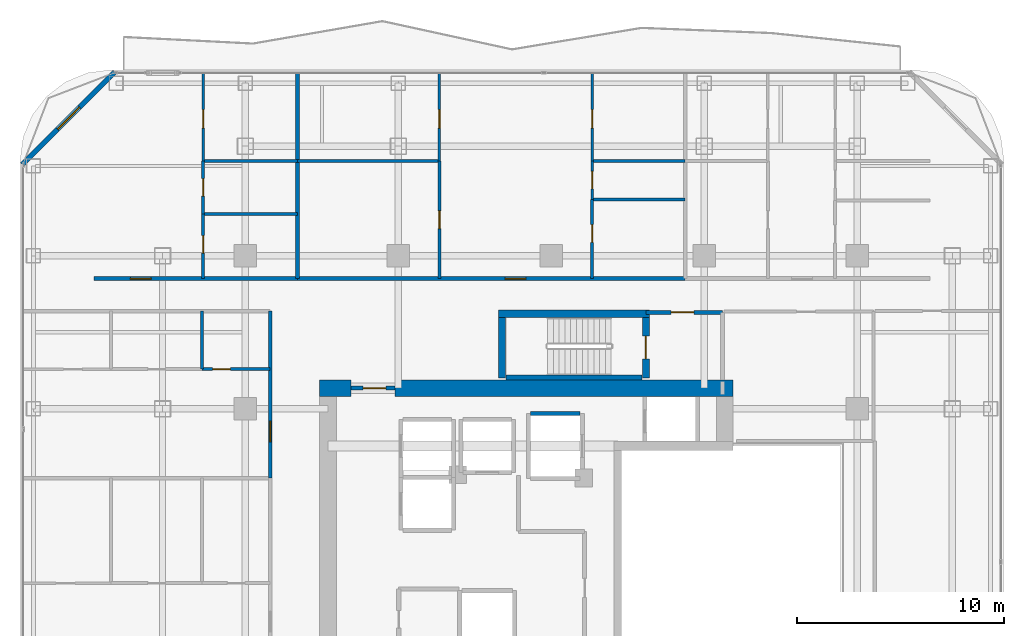
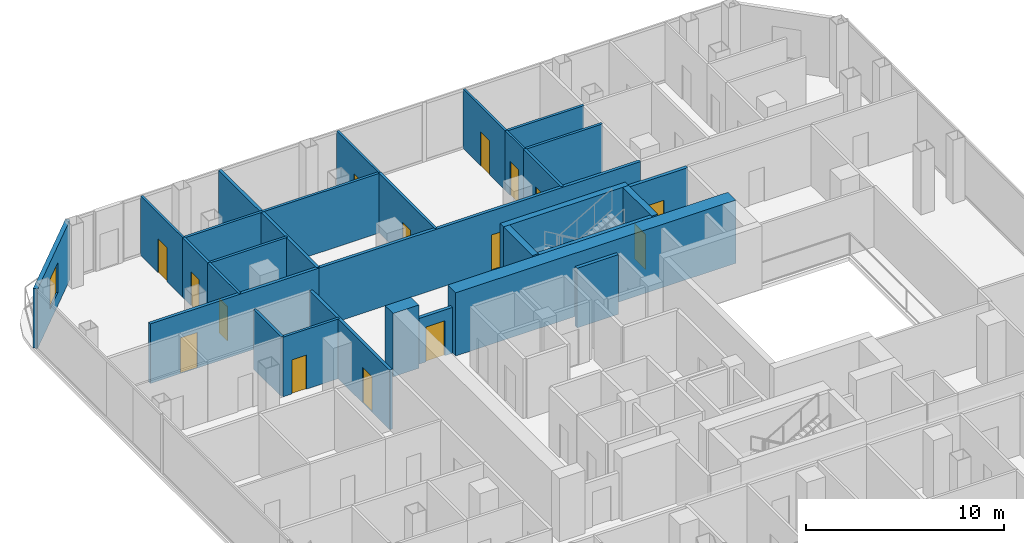
# One storey, part 22 of 26: 29 walls, 15 doors, 1 window, 16 openings.
"""IFC4 building model written with IfcOpenShell, lengths in metres."""

from ifc_helpers import new_model, si_unit, direction, frame, frame_2d, origin, place, context, subcontext, project, spatial, rectangle, extrude, material, layer, layer_set, type_object, element, fill, save


model = new_model("IFC4")

# Units and contexts
model_context = context("Model", 3, precision=1e-05, world=origin(), true_north=direction((0.0, 1.0)))
body_context = subcontext(model_context, "Body", "Model", "MODEL_VIEW")
ifc_project = project(units=[si_unit("LENGTHUNIT", "METRE"), si_unit("AREAUNIT", "SQUARE_METRE"), si_unit("VOLUMEUNIT", "CUBIC_METRE"), si_unit("PLANEANGLEUNIT", "RADIAN"), si_unit("MASSUNIT", "GRAM", prefix="KILO")], contexts=[model_context])

# Site, building, storey
site_placement = place(None, origin())
site = spatial("IfcSite", under=ifc_project, at=site_placement, CompositionType="ELEMENT")
building_placement = place(site_placement, origin())
building = spatial("IfcBuilding", under=site, at=building_placement, Name="Khorvyn Point Tower", CompositionType="ELEMENT")
storey_placement = place(building_placement, frame((0.0, 0.0, 183.60009765625)))
storey = spatial("IfcBuildingStorey", under=building, at=storey_placement, Name="L45", CompositionType="ELEMENT", Elevation=183.60009765625)

# Wall, opening, door
ifc_material_1 = material(Name="Double acoustic gypsum on twin steel stud", Category="steel")
ifc_layer_1 = layer(ifc_material_1, 0.179931640625)
ifc_layer_set_1 = layer_set([ifc_layer_1], Name="Acoustic Double-Stud Apartment Demising Wall 180")
wall_type_1 = type_object("IfcWallType", Name="Acoustic Double-Stud Apartment Demising Wall 180", PredefinedType="PARTITIONING", material=ifc_layer_set_1)
wall_1_placement = place(storey_placement, frame((-22.1201171875, 13.699951171875, 0.0), z_axis=(0.0, 0.0, 1.0), x_axis=(1.0, 0.0, 0.0)))
wall_1 = element("IfcWall", 1, at=wall_1_placement, inside=storey, type_object=wall_type_1, Name="Wall", PredefinedType="PARTITIONING", context=body_context, shape_type="SweptSolid", body=[
    extrude(rectangle(XDim=9.840087890625, YDim=0.179931640625, at=frame_2d((4.919921875, 0.0))), origin(), (0.0, 0.0, 1.0), 3.679931640625),
])
opening_1_placement = place(wall_1_placement, frame((1.757568359375, 0.0, 0.0)))
opening_1 = element("IfcOpeningElement", 2, at=opening_1_placement, cuts=wall_1, Name="Opening ID-AP60", PredefinedType="OPENING", context=body_context, shape_type="SweptSolid", body=[
    extrude(rectangle(XDim=1.0, YDim=2.199951171875, at=frame_2d((0.5, 1.10009765625))), frame((0.0, 0.099853515625, 0.0), z_axis=(0.0, -1.0, 0.0), x_axis=(1.0, 0.0, 0.0)), (0.0, 0.0, 1.0), 0.199951171875),
])
ifc_material_2 = material(Name="Engineered hardwood fire-rated leaf", Category="wood")
door_type_1 = type_object("IfcDoorType", Name="Acoustic Solid-Core Timber Apartment Entrance Door 1000x2200", OperationType="NOTDEFINED", PredefinedType="DOOR", material=ifc_material_2)
door_1_placement = place(opening_1_placement, origin())
door_1 = element("IfcDoor", 3, at=door_1_placement, inside=storey, type_object=door_type_1, Name="Door", OperationType="SINGLE_SWING_LEFT", OverallHeight=2.199951171875, OverallWidth=1.0, PredefinedType="DOOR", context=body_context, shape_type="SweptSolid", body=[
    extrude(rectangle(XDim=1.0, YDim=2.199951171875, at=frame_2d((0.5, 1.10009765625))), frame((0.0, 0.02490234375, 0.0), z_axis=(0.0, -1.0, 0.0), x_axis=(1.0, 0.0, 0.0)), (0.0, 0.0, 1.0), 0.050048828125),
])
fill(opening_1, door_1)

wall_2_placement = place(storey_placement, frame((-12.280029296875, 13.699951171875, 0.0), z_axis=(0.0, 0.0, 1.0), x_axis=(1.0, 0.0, 0.0)))
wall_2 = element("IfcWall", 4, at=wall_2_placement, inside=storey, type_object=wall_type_1, Name="Wall", PredefinedType="PARTITIONING", context=body_context, shape_type="SweptSolid", body=[
    extrude(rectangle(XDim=18.758056640625, YDim=0.179931640625, at=frame_2d((9.37890625, 0.0))), origin(), (0.0, 0.0, 1.0), 3.679931640625),
])
opening_2_placement = place(wall_2_placement, frame((10.047607421875, 0.0, 0.0)))
opening_2 = element("IfcOpeningElement", 5, at=opening_2_placement, cuts=wall_2, Name="Opening ID-AP60", PredefinedType="OPENING", context=body_context, shape_type="SweptSolid", body=[
    extrude(rectangle(XDim=1.0, YDim=2.199951171875, at=frame_2d((0.5, 1.10009765625))), frame((0.0, 0.099853515625, 0.0), z_axis=(0.0, -1.0, 0.0), x_axis=(1.0, 0.0, 0.0)), (0.0, 0.0, 1.0), 0.199951171875),
])
door_2_placement = place(opening_2_placement, origin())
door_2 = element("IfcDoor", 6, at=door_2_placement, inside=storey, type_object=door_type_1, Name="Door", OperationType="SINGLE_SWING_LEFT", OverallHeight=2.199951171875, OverallWidth=1.0, PredefinedType="DOOR", context=body_context, shape_type="SweptSolid", body=[
    extrude(rectangle(XDim=1.0, YDim=2.199951171875, at=frame_2d((0.5, 1.10009765625))), frame((0.0, 0.02490234375, 0.0), z_axis=(0.0, -1.0, 0.0), x_axis=(1.0, 0.0, 0.0)), (0.0, 0.0, 1.0), 0.050048828125),
])
fill(opening_2, door_2)

wall_3_placement = place(storey_placement, frame((-13.60009765625, 4.0400390625, 0.0), z_axis=(0.0, 0.0, 1.0), x_axis=(0.0, 1.0, 0.0)))
wall_3 = element("IfcWall", 7, at=wall_3_placement, inside=storey, type_object=wall_type_1, Name="Wall", PredefinedType="PARTITIONING", context=body_context, shape_type="SweptSolid", body=[
    extrude(rectangle(XDim=8.080078125, YDim=0.179931640625, at=frame_2d((4.0400390625, 0.0))), origin(), (0.0, 0.0, 1.0), 3.679931640625),
])
opening_3_placement = place(wall_3_placement, frame((1.760986328125, 0.0, 0.0)))
opening_3 = element("IfcOpeningElement", 8, at=opening_3_placement, cuts=wall_3, Name="Opening ID-AP60", PredefinedType="OPENING", context=body_context, shape_type="SweptSolid", body=[
    extrude(rectangle(XDim=1.0, YDim=2.199951171875, at=frame_2d((0.5, 1.10009765625))), frame((0.0, 0.099853515625, 0.0), z_axis=(0.0, -1.0, 0.0), x_axis=(1.0, 0.0, 0.0)), (0.0, 0.0, 1.0), 0.199951171875),
])
door_3_placement = place(opening_3_placement, origin())
door_3 = element("IfcDoor", 9, at=door_3_placement, inside=storey, type_object=door_type_1, Name="Door", OperationType="SINGLE_SWING_RIGHT", OverallHeight=2.199951171875, OverallWidth=1.0, PredefinedType="DOOR", context=body_context, shape_type="SweptSolid", body=[
    extrude(rectangle(XDim=1.0, YDim=2.199951171875, at=frame_2d((0.5, 1.10009765625))), frame((0.0, 0.02490234375, 0.0), z_axis=(0.0, -1.0, 0.0), x_axis=(1.0, 0.0, 0.0)), (0.0, 0.0, 1.0), 0.050048828125),
])
fill(opening_3, door_3)

# Wall
wall_4_placement = place(storey_placement, frame((-12.280029296875, 13.699951171875, 0.0), z_axis=(0.0, 0.0, 1.0), x_axis=(0.0, 1.0, 0.0)))
element("IfcWall", 10, at=wall_4_placement, inside=storey, type_object=wall_type_1, Name="Wall", PredefinedType="PARTITIONING", context=body_context, shape_type="SweptSolid", body=[
    extrude(rectangle(XDim=9.929931640625, YDim=0.179931640625, at=frame_2d((4.96484375, 0.0))), origin(), (0.0, 0.0, 1.0), 3.679931640625),
])

# Wall, opening, window
ifc_material_3 = material(Name="Pale anodised aluminium rainscreen on steel stud", Category="steel")
ifc_layer_2 = layer(ifc_material_3, 0.239990234375)
ifc_layer_set_2 = layer_set([ifc_layer_2], Name="Anodised Aluminium Insulated Corner Spandrel Wall 240")
wall_type_2 = type_object("IfcWallType", Name="Anodised Aluminium Insulated Corner Spandrel Wall 240", PredefinedType="SOLIDWALL", material=ifc_layer_set_2)
wall_5_placement = place(storey_placement, frame((-25.59228515625, 19.20751953125, 0.0), z_axis=(0.0, 0.0, 1.0), x_axis=(0.707087534163, 0.707126027686, 0.0)))
wall_5 = element("IfcWall", 11, at=wall_5_placement, inside=storey, type_object=wall_type_2, Name="L45 Rounded Corner Wall NW", PredefinedType="SOLIDWALL", context=body_context, shape_type="SweptSolid", body=[
    extrude(rectangle(XDim=6.34228515625, YDim=0.239990234375, at=frame_2d((3.171142578125, 0.0))), origin(), (0.0, 0.0, 1.0), 3.679931640625),
])
opening_4_placement = place(wall_5_placement, frame((2.42138671875, 0.0, 0.800048828125)))
opening_4 = element("IfcOpeningElement", 12, at=opening_4_placement, cuts=wall_5, Name="Opening WN-1518", PredefinedType="OPENING", context=body_context, shape_type="SweptSolid", body=[
    extrude(rectangle(XDim=1.5, YDim=1.85009765625, at=frame_2d((0.75, 0.925048828125))), frame((0.0, 0.1298828125, 0.0), z_axis=(0.0, -1.0, 0.0), x_axis=(1.0, 0.0, 0.0)), (0.0, 0.0, 1.0), 0.260009765625),
])
ifc_material_4 = material(Name="Anodised aluminium 6063-T6 and laminated Low-E glass", Category="aluminium")
window_type = type_object("IfcWindowType", Name="Anodised Aluminium Rounded-Corner Panoramic Window 1500x1850", PartitioningType="SINGLE_PANEL", PredefinedType="WINDOW", material=ifc_material_4)
window_placement = place(opening_4_placement, origin())
window = element("IfcWindow", 13, at=window_placement, inside=storey, type_object=window_type, Name="L45 Corner Panoramic Window NW", OverallHeight=1.85009765625, OverallWidth=1.5, PartitioningType="SINGLE_PANEL", PredefinedType="WINDOW", context=body_context, shape_type="SweptSolid", body=[
    extrude(rectangle(XDim=1.5, YDim=1.85009765625, at=frame_2d((0.75, 0.925048828125))), frame((0.0, 0.030029296875, 0.0), z_axis=(0.0, -1.0, 0.0), x_axis=(1.0, 0.0, 0.0)), (0.0, 0.0, 1.0), 0.06005859375),
])
fill(opening_4, window)

# Wall, opening, door
ifc_material_5 = material(Name="Concrete C40/50", Category="concrete")
ifc_layer_3 = layer(ifc_material_5, 0.199951171875)
ifc_layer_set_3 = layer_set([ifc_layer_3], Name="Concrete C40/50 Fire-Lobby Compartment Wall 200")
wall_type_3 = type_object("IfcWallType", Name="Concrete C40/50 Fire-Lobby Compartment Wall 200", PredefinedType="SOLIDWALL", material=ifc_layer_set_3)
wall_6_placement = place(storey_placement, frame((4.580078125, 12.06005859375, 0.0), z_axis=(0.0, 0.0, 1.0), x_axis=(1.0, 0.0, 0.0)))
wall_6 = element("IfcWall", 14, at=wall_6_placement, inside=storey, type_object=wall_type_3, Name="Wall", PredefinedType="SOLIDWALL", context=body_context, shape_type="SweptSolid", body=[
    extrude(rectangle(XDim=3.699951171875, YDim=0.199951171875, at=frame_2d((1.85009765625, 0.0))), origin(), (0.0, 0.0, 1.0), 3.679931640625),
])
opening_5_placement = place(wall_6_placement, frame((1.21240234375, 0.0, 0.0)))
opening_5 = element("IfcOpeningElement", 15, at=opening_5_placement, cuts=wall_6, Name="Opening ID-FL90", PredefinedType="OPENING", context=body_context, shape_type="SweptSolid", body=[
    extrude(rectangle(XDim=1.10009765625, YDim=2.14990234375, at=frame_2d((0.550048828125, 1.074951171875))), frame((0.0, 0.10986328125, 0.0), z_axis=(0.0, -1.0, 0.0), x_axis=(1.0, 0.0, 0.0)), (0.0, 0.0, 1.0), 0.219970703125),
])
ifc_material_6 = material(Name="Galvanised powder-coated steel", Category="steel")
door_type_2 = type_object("IfcDoorType", Name="Fire-Rated Steel Lobby and Stair Door 1100x2150", OperationType="NOTDEFINED", PredefinedType="DOOR", material=ifc_material_6)
door_4_placement = place(opening_5_placement, origin())
door_4 = element("IfcDoor", 16, at=door_4_placement, inside=storey, type_object=door_type_2, Name="Door", OperationType="SINGLE_SWING_LEFT", OverallHeight=2.14990234375, OverallWidth=1.10009765625, PredefinedType="DOOR", context=body_context, shape_type="SweptSolid", body=[
    extrude(rectangle(XDim=1.10009765625, YDim=2.14990234375, at=frame_2d((0.550048828125, 1.074951171875))), frame((0.0, 0.02490234375, 0.0), z_axis=(0.0, -1.0, 0.0), x_axis=(1.0, 0.0, 0.0)), (0.0, 0.0, 1.0), 0.050048828125),
])
fill(opening_5, door_4)

wall_7_placement = place(storey_placement, frame((-9.699951171875, 8.39990234375, 0.0), z_axis=(0.0, 0.0, 1.0), x_axis=(1.0, 0.0, 0.0)))
wall_7 = element("IfcWall", 17, at=wall_7_placement, inside=storey, type_object=wall_type_3, Name="Wall", PredefinedType="SOLIDWALL", context=body_context, shape_type="SweptSolid", body=[
    extrude(rectangle(XDim=2.14990234375, YDim=0.199951171875, at=frame_2d((1.074951171875, 0.0))), origin(), (0.0, 0.0, 1.0), 2.81982421875),
])
opening_6_placement = place(wall_7_placement, frame((0.597900390625, 0.0, 0.0)))
opening_6 = element("IfcOpeningElement", 18, at=opening_6_placement, cuts=wall_7, Name="Opening ID-FL90", PredefinedType="OPENING", context=body_context, shape_type="SweptSolid", body=[
    extrude(rectangle(XDim=1.10009765625, YDim=2.14990234375, at=frame_2d((0.550048828125, 1.074951171875))), frame((0.0, 0.10986328125, 0.0), z_axis=(0.0, -1.0, 0.0), x_axis=(1.0, 0.0, 0.0)), (0.0, 0.0, 1.0), 0.219970703125),
])
door_5_placement = place(opening_6_placement, origin())
door_5 = element("IfcDoor", 19, at=door_5_placement, inside=storey, type_object=door_type_2, Name="Door", OperationType="SINGLE_SWING_LEFT", OverallHeight=2.14990234375, OverallWidth=1.10009765625, PredefinedType="DOOR", context=body_context, shape_type="SweptSolid", body=[
    extrude(rectangle(XDim=1.10009765625, YDim=2.14990234375, at=frame_2d((0.550048828125, 1.074951171875))), frame((0.0, 0.02490234375, 0.0), z_axis=(0.0, -1.0, 0.0), x_axis=(1.0, 0.0, 0.0)), (0.0, 0.0, 1.0), 0.050048828125),
])
fill(opening_6, door_5)

# Walls
ifc_layer_4 = layer(ifc_material_5, 0.25)
ifc_layer_set_4 = layer_set([ifc_layer_4], Name="Concrete C40/50 Stair Inner Cheek Structural Wall 250")
wall_type_4 = type_object("IfcWallType", Name="Concrete C40/50 Stair Inner Cheek Structural Wall 250", PredefinedType="SHEAR", material=ifc_layer_set_4)
wall_8_placement = place(storey_placement, frame((-2.199951171875, 8.91259765625, 0.0), z_axis=(0.0, 0.0, 1.0), x_axis=(1.0, 0.0, 0.0)))
element("IfcWall", 20, at=wall_8_placement, inside=storey, type_object=wall_type_4, Name="Wall", PredefinedType="SHEAR", context=body_context, shape_type="SweptSolid", body=[
    extrude(rectangle(XDim=6.599853515625, YDim=0.22509765625, at=frame_2d((3.2998046875, 0.0))), origin(), (0.0, 0.0, 1.0), 3.89990234375),
])
ifc_layer_5 = layer(ifc_material_5, 0.35009765625)
ifc_layer_set_5 = layer_set([ifc_layer_5], Name="Concrete C40/50 Stair Shaft Structural Wall 350")
wall_type_5 = type_object("IfcWallType", Name="Concrete C40/50 Stair Shaft Structural Wall 350", PredefinedType="SHEAR", material=ifc_layer_set_5)
wall_9_placement = place(storey_placement, frame((-2.554931640625, 12.0, 0.0), z_axis=(0.0, 0.0, 1.0), x_axis=(1.0, 0.0, 0.0)))
element("IfcWall", 21, at=wall_9_placement, inside=storey, type_object=wall_type_5, Name="L45 ST-02 North Shaft Wall", PredefinedType="SHEAR", context=body_context, shape_type="SweptSolid", body=[
    extrude(rectangle(XDim=7.309814453125, YDim=0.35009765625, at=frame_2d((3.65478515625, 0.0))), origin(), (0.0, 0.0, 1.0), 3.89990234375),
])
wall_10_placement = place(storey_placement, frame((-2.3798828125, 8.89990234375, 0.0), z_axis=(0.0, 0.0, 1.0), x_axis=(0.0, 1.0, 0.0)))
element("IfcWall", 22, at=wall_10_placement, inside=storey, type_object=wall_type_5, Name="L45 ST-02 West Shaft Wall", PredefinedType="SHEAR", context=body_context, shape_type="SweptSolid", body=[
    extrude(rectangle(XDim=2.925048828125, YDim=0.35009765625, at=frame_2d((1.46240234375, 0.0))), origin(), (0.0, 0.0, 1.0), 3.89990234375),
])

# Wall, opening, door
wall_11_placement = place(storey_placement, frame((4.580078125, 11.824951171875, 0.0), z_axis=(0.0, 0.0, 1.0), x_axis=(0.0, -1.0, 0.0)))
wall_11 = element("IfcWall", 23, at=wall_11_placement, inside=storey, type_object=wall_type_5, Name="L45 ST-02 East Landing Door Wall", PredefinedType="SHEAR", context=body_context, shape_type="SweptSolid", body=[
    extrude(rectangle(XDim=2.925048828125, YDim=0.35009765625, at=frame_2d((1.46240234375, 0.0))), origin(), (0.0, 0.0, 1.0), 3.89990234375),
])
opening_7_placement = place(wall_11_placement, frame((0.91259765625, 0.0, 0.0)))
opening_7 = element("IfcOpeningElement", 24, at=opening_7_placement, cuts=wall_11, Name="Opening ID-FL90", PredefinedType="OPENING", context=body_context, shape_type="SweptSolid", body=[
    extrude(rectangle(XDim=1.10009765625, YDim=2.14990234375, at=frame_2d((0.550048828125, 1.074951171875))), frame((0.0, 0.18505859375, 0.0), z_axis=(0.0, -1.0, 0.0), x_axis=(1.0, 0.0, 0.0)), (0.0, 0.0, 1.0), 0.3701171875),
])
door_6_placement = place(opening_7_placement, origin())
door_6 = element("IfcDoor", 25, at=door_6_placement, inside=storey, type_object=door_type_2, Name="L45 ST-02 Smokeproof Landing Door", OperationType="SINGLE_SWING_RIGHT", OverallHeight=2.14990234375, OverallWidth=1.10009765625, PredefinedType="DOOR", context=body_context, shape_type="SweptSolid", body=[
    extrude(rectangle(XDim=1.10009765625, YDim=2.14990234375, at=frame_2d((0.550048828125, 1.074951171875))), frame((0.0, 0.02490234375, 0.0), z_axis=(0.0, -1.0, 0.0), x_axis=(1.0, 0.0, 0.0)), (0.0, 0.0, 1.0), 0.050048828125),
])
fill(opening_7, door_6)

# Walls
ifc_layer_6 = layer(ifc_material_5, 0.199951171875)
ifc_layer_set_6 = layer_set([ifc_layer_6], Name="Concrete C40/50 Structural Hoistway and Stair Shaft Wall 200")
wall_type_6 = type_object("IfcWallType", Name="Concrete C40/50 Structural Hoistway and Stair Shaft Wall 200", PredefinedType="SHEAR", material=ifc_layer_set_6)
wall_12_placement = place(storey_placement, frame((-1.0, 7.175048828125, 0.0), z_axis=(0.0, 0.0, 1.0), x_axis=(1.0, 0.0, 0.0)))
element("IfcWall", 26, at=wall_12_placement, inside=storey, type_object=wall_type_6, Name="Wall", PredefinedType="SHEAR", context=body_context, shape_type="SweptSolid", body=[
    extrude(rectangle(XDim=2.39990234375, YDim=0.199951171875, at=frame_2d((1.199951171875, 0.0))), origin(), (0.0, 0.0, 1.0), 3.679931640625),
])
ifc_material_7 = material(Name="Concrete C45/55", Category="concrete")
ifc_layer_7 = layer(ifc_material_7, 0.800048828125)
ifc_layer_set_7 = layer_set([ifc_layer_7], Name="Concrete C45/55 Core Shear Wall 800")
wall_type_7 = type_object("IfcWallType", Name="Concrete C45/55 Core Shear Wall 800", PredefinedType="SHEAR", material=ifc_layer_set_7)
wall_13_placement = place(storey_placement, frame((-11.199951171875, 8.39990234375, 0.0), z_axis=(0.0, 0.0, 1.0), x_axis=(1.0, 0.0, 0.0)))
element("IfcWall", 27, at=wall_13_placement, inside=storey, type_object=wall_type_7, Name="Wall", PredefinedType="SHEAR", context=body_context, shape_type="SweptSolid", body=[
    extrude(rectangle(XDim=1.5, YDim=0.800048828125, at=frame_2d((0.75, 0.0))), origin(), (0.0, 0.0, 1.0), 3.89990234375),
])
wall_14_placement = place(storey_placement, frame((-7.550048828125, 8.39990234375, 0.0), z_axis=(0.0, 0.0, 1.0), x_axis=(1.0, 0.0, 0.0)))
element("IfcWall", 28, at=wall_14_placement, inside=storey, type_object=wall_type_7, Name="Wall", PredefinedType="SHEAR", context=body_context, shape_type="SweptSolid", body=[
    extrude(rectangle(XDim=16.35009765625, YDim=0.800048828125, at=frame_2d((8.175048828125, 0.0))), origin(), (0.0, 0.0, 1.0), 3.89990234375),
])

# Wall, opening, door
ifc_material_8 = material(Name="Gypsum plasterboard on steel stud", Category="steel")
ifc_layer_8 = layer(ifc_material_8, 0.1201171875)
ifc_layer_set_8 = layer_set([ifc_layer_8], Name="Gypsum Acoustic Stud Room Partition Wall 120")
wall_type_8 = type_object("IfcWallType", Name="Gypsum Acoustic Stud Room Partition Wall 120", PredefinedType="PARTITIONING", material=ifc_layer_set_8)
wall_15_placement = place(storey_placement, frame((-16.844970703125, 19.389892578125, 0.0), z_axis=(0.0, 0.0, 1.0), x_axis=(0.0, 1.0, 0.0)))
wall_15 = element("IfcWall", 29, at=wall_15_placement, inside=storey, type_object=wall_type_8, Name="Wall", PredefinedType="PARTITIONING", context=body_context, shape_type="SweptSolid", body=[
    extrude(rectangle(XDim=4.239990234375, YDim=0.1201171875, at=frame_2d((2.1201171875, 0.0))), origin(), (0.0, 0.0, 1.0), 3.679931640625),
])
opening_8_placement = place(wall_15_placement, frame((1.581298828125, 0.0, 0.0)))
opening_8 = element("IfcOpeningElement", 30, at=opening_8_placement, cuts=wall_15, Name="Opening ID-RM90", PredefinedType="OPENING", context=body_context, shape_type="SweptSolid", body=[
    extrude(rectangle(XDim=0.89990234375, YDim=2.10009765625, at=frame_2d((0.449951171875, 1.050048828125))), frame((0.0, 0.070068359375, 0.0), z_axis=(0.0, -1.0, 0.0), x_axis=(1.0, 0.0, 0.0)), (0.0, 0.0, 1.0), 0.14013671875),
])
ifc_material_9 = material(Name="Engineered oak veneer timber", Category="wood")
door_type_3 = type_object("IfcDoorType", Name="Flush Engineered Timber Room Door 900x2100", OperationType="NOTDEFINED", PredefinedType="DOOR", material=ifc_material_9)
door_7_placement = place(opening_8_placement, origin())
door_7 = element("IfcDoor", 31, at=door_7_placement, inside=storey, type_object=door_type_3, Name="Door", OperationType="SINGLE_SWING_RIGHT", OverallHeight=2.10009765625, OverallWidth=0.89990234375, PredefinedType="DOOR", context=body_context, shape_type="SweptSolid", body=[
    extrude(rectangle(XDim=0.89990234375, YDim=2.10009765625, at=frame_2d((0.449951171875, 1.050048828125))), frame((0.0, 0.02490234375, 0.0), z_axis=(0.0, -1.0, 0.0), x_axis=(1.0, 0.0, 0.0)), (0.0, 0.0, 1.0), 0.050048828125),
])
fill(opening_8, door_7)

wall_16_placement = place(storey_placement, frame((-5.407958984375, 19.389892578125, 0.0), z_axis=(0.0, 0.0, 1.0), x_axis=(0.0, 1.0, 0.0)))
wall_16 = element("IfcWall", 32, at=wall_16_placement, inside=storey, type_object=wall_type_8, Name="Wall", PredefinedType="PARTITIONING", context=body_context, shape_type="SweptSolid", body=[
    extrude(rectangle(XDim=4.239990234375, YDim=0.1201171875, at=frame_2d((2.1201171875, 0.0))), origin(), (0.0, 0.0, 1.0), 3.679931640625),
])
opening_9_placement = place(wall_16_placement, frame((1.581298828125, 0.0, 0.0)))
opening_9 = element("IfcOpeningElement", 33, at=opening_9_placement, cuts=wall_16, Name="Opening ID-RM90", PredefinedType="OPENING", context=body_context, shape_type="SweptSolid", body=[
    extrude(rectangle(XDim=0.89990234375, YDim=2.10009765625, at=frame_2d((0.449951171875, 1.050048828125))), frame((0.0, 0.070068359375, 0.0), z_axis=(0.0, -1.0, 0.0), x_axis=(1.0, 0.0, 0.0)), (0.0, 0.0, 1.0), 0.14013671875),
])
door_8_placement = place(opening_9_placement, origin())
door_8 = element("IfcDoor", 34, at=door_8_placement, inside=storey, type_object=door_type_3, Name="Door", OperationType="SINGLE_SWING_LEFT", OverallHeight=2.10009765625, OverallWidth=0.89990234375, PredefinedType="DOOR", context=body_context, shape_type="SweptSolid", body=[
    extrude(rectangle(XDim=0.89990234375, YDim=2.10009765625, at=frame_2d((0.449951171875, 1.050048828125))), frame((0.0, 0.02490234375, 0.0), z_axis=(0.0, -1.0, 0.0), x_axis=(1.0, 0.0, 0.0)), (0.0, 0.0, 1.0), 0.050048828125),
])
fill(opening_9, door_8)

wall_17_placement = place(storey_placement, frame((1.971923828125, 17.52392578125, 0.0), z_axis=(0.0, 0.0, 1.0), x_axis=(0.0, 1.0, 0.0)))
wall_17 = element("IfcWall", 35, at=wall_17_placement, inside=storey, type_object=wall_type_8, Name="Wall", PredefinedType="PARTITIONING", context=body_context, shape_type="SweptSolid", body=[
    extrude(rectangle(XDim=1.865966796875, YDim=0.1201171875, at=frame_2d((0.93310546875, 0.0))), origin(), (0.0, 0.0, 1.0), 3.679931640625),
])
opening_10_placement = place(wall_17_placement, frame((0.508056640625, 0.0, 0.0)))
opening_10 = element("IfcOpeningElement", 36, at=opening_10_placement, cuts=wall_17, Name="Opening ID-WC85", PredefinedType="OPENING", context=body_context, shape_type="SweptSolid", body=[
    extrude(rectangle(XDim=0.85009765625, YDim=2.10009765625, at=frame_2d((0.425048828125, 1.050048828125))), frame((0.0, 0.070068359375, 0.0), z_axis=(0.0, -1.0, 0.0), x_axis=(1.0, 0.0, 0.0)), (0.0, 0.0, 1.0), 0.14013671875),
])
ifc_material_10 = material(Name="High-pressure laminate on moisture-resistant core", Category="wood")
door_type_4 = type_object("IfcDoorType", Name="Moisture-Resistant Accessible Washroom Door 850x2100", OperationType="NOTDEFINED", PredefinedType="DOOR", material=ifc_material_10)
door_9_placement = place(opening_10_placement, origin())
door_9 = element("IfcDoor", 37, at=door_9_placement, inside=storey, type_object=door_type_4, Name="Door", OperationType="SINGLE_SWING_LEFT", OverallHeight=2.10009765625, OverallWidth=0.85009765625, PredefinedType="DOOR", context=body_context, shape_type="SweptSolid", body=[
    extrude(rectangle(XDim=0.85009765625, YDim=2.10009765625, at=frame_2d((0.425048828125, 1.050048828125))), frame((0.0, 0.02490234375, 0.0), z_axis=(0.0, -1.0, 0.0), x_axis=(1.0, 0.0, 0.0)), (0.0, 0.0, 1.0), 0.050048828125),
])
fill(opening_10, door_9)

wall_18_placement = place(storey_placement, frame((1.971923828125, 19.389892578125, 0.0), z_axis=(0.0, 0.0, 1.0), x_axis=(0.0, 1.0, 0.0)))
wall_18 = element("IfcWall", 38, at=wall_18_placement, inside=storey, type_object=wall_type_8, Name="Wall", PredefinedType="PARTITIONING", context=body_context, shape_type="SweptSolid", body=[
    extrude(rectangle(XDim=4.239990234375, YDim=0.1201171875, at=frame_2d((2.1201171875, 0.0))), origin(), (0.0, 0.0, 1.0), 3.679931640625),
])
opening_11_placement = place(wall_18_placement, frame((1.581298828125, 0.0, 0.0)))
opening_11 = element("IfcOpeningElement", 39, at=opening_11_placement, cuts=wall_18, Name="Opening ID-RM90", PredefinedType="OPENING", context=body_context, shape_type="SweptSolid", body=[
    extrude(rectangle(XDim=0.89990234375, YDim=2.10009765625, at=frame_2d((0.449951171875, 1.050048828125))), frame((0.0, 0.070068359375, 0.0), z_axis=(0.0, -1.0, 0.0), x_axis=(1.0, 0.0, 0.0)), (0.0, 0.0, 1.0), 0.14013671875),
])
door_10_placement = place(opening_11_placement, origin())
door_10 = element("IfcDoor", 40, at=door_10_placement, inside=storey, type_object=door_type_3, Name="Door", OperationType="SINGLE_SWING_RIGHT", OverallHeight=2.10009765625, OverallWidth=0.89990234375, PredefinedType="DOOR", context=body_context, shape_type="SweptSolid", body=[
    extrude(rectangle(XDim=0.89990234375, YDim=2.10009765625, at=frame_2d((0.449951171875, 1.050048828125))), frame((0.0, 0.02490234375, 0.0), z_axis=(0.0, -1.0, 0.0), x_axis=(1.0, 0.0, 0.0)), (0.0, 0.0, 1.0), 0.050048828125),
])
fill(opening_11, door_10)

ifc_material_11 = material(Name="Moisture-resistant gypsum and cement board", Category="gypsum")
ifc_layer_9 = layer(ifc_material_11, 0.14990234375)
ifc_layer_set_9 = layer_set([ifc_layer_9], Name="Moisture-Resistant Wet-Room Partition Wall 150")
wall_type_9 = type_object("IfcWallType", Name="Moisture-Resistant Wet-Room Partition Wall 150", PredefinedType="PARTITIONING", material=ifc_layer_set_9)
wall_19_placement = place(storey_placement, frame((-16.844970703125, 13.699951171875, 0.0), z_axis=(0.0, 0.0, 1.0), x_axis=(0.0, 1.0, 0.0)))
wall_19 = element("IfcWall", 41, at=wall_19_placement, inside=storey, type_object=wall_type_9, Name="Wall", PredefinedType="PARTITIONING", context=body_context, shape_type="SweptSolid", body=[
    extrude(rectangle(XDim=3.129150390625, YDim=0.14990234375, at=frame_2d((1.564453125, 0.0))), origin(), (0.0, 0.0, 1.0), 3.679931640625),
])
opening_12_placement = place(wall_19_placement, frame((1.228515625, 0.0, 0.0)))
opening_12 = element("IfcOpeningElement", 42, at=opening_12_placement, cuts=wall_19, Name="Opening ID-WC85", PredefinedType="OPENING", context=body_context, shape_type="SweptSolid", body=[
    extrude(rectangle(XDim=0.85009765625, YDim=2.10009765625, at=frame_2d((0.425048828125, 1.050048828125))), frame((0.0, 0.0849609375, 0.0), z_axis=(0.0, -1.0, 0.0), x_axis=(1.0, 0.0, 0.0)), (0.0, 0.0, 1.0), 0.169921875),
])
door_11_placement = place(opening_12_placement, origin())
door_11 = element("IfcDoor", 43, at=door_11_placement, inside=storey, type_object=door_type_4, Name="Door", OperationType="SINGLE_SWING_RIGHT", OverallHeight=2.10009765625, OverallWidth=0.85009765625, PredefinedType="DOOR", context=body_context, shape_type="SweptSolid", body=[
    extrude(rectangle(XDim=0.85009765625, YDim=2.10009765625, at=frame_2d((0.425048828125, 1.050048828125))), frame((0.0, 0.02490234375, 0.0), z_axis=(0.0, -1.0, 0.0), x_axis=(1.0, 0.0, 0.0)), (0.0, 0.0, 1.0), 0.050048828125),
])
fill(opening_12, door_11)

wall_20_placement = place(storey_placement, frame((-16.844970703125, 16.8291015625, 0.0), z_axis=(0.0, 0.0, 1.0), x_axis=(0.0, 1.0, 0.0)))
wall_20 = element("IfcWall", 44, at=wall_20_placement, inside=storey, type_object=wall_type_9, Name="Wall", PredefinedType="PARTITIONING", context=body_context, shape_type="SweptSolid", body=[
    extrude(rectangle(XDim=2.560791015625, YDim=0.14990234375, at=frame_2d((1.2802734375, 0.0))), origin(), (0.0, 0.0, 1.0), 3.679931640625),
])
opening_13_placement = place(wall_20_placement, frame((0.85546875, 0.0, 0.0)))
opening_13 = element("IfcOpeningElement", 45, at=opening_13_placement, cuts=wall_20, Name="Opening ID-WC85", PredefinedType="OPENING", context=body_context, shape_type="SweptSolid", body=[
    extrude(rectangle(XDim=0.85009765625, YDim=2.10009765625, at=frame_2d((0.425048828125, 1.050048828125))), frame((0.0, 0.0849609375, 0.0), z_axis=(0.0, -1.0, 0.0), x_axis=(1.0, 0.0, 0.0)), (0.0, 0.0, 1.0), 0.169921875),
])
door_12_placement = place(opening_13_placement, origin())
door_12 = element("IfcDoor", 46, at=door_12_placement, inside=storey, type_object=door_type_4, Name="Door", OperationType="SINGLE_SWING_LEFT", OverallHeight=2.10009765625, OverallWidth=0.85009765625, PredefinedType="DOOR", context=body_context, shape_type="SweptSolid", body=[
    extrude(rectangle(XDim=0.85009765625, YDim=2.10009765625, at=frame_2d((0.425048828125, 1.050048828125))), frame((0.0, 0.02490234375, 0.0), z_axis=(0.0, -1.0, 0.0), x_axis=(1.0, 0.0, 0.0)), (0.0, 0.0, 1.0), 0.050048828125),
])
fill(opening_13, door_12)

wall_21_placement = place(storey_placement, frame((-5.407958984375, 13.699951171875, 0.0), z_axis=(0.0, 0.0, 1.0), x_axis=(0.0, 1.0, 0.0)))
wall_21 = element("IfcWall", 47, at=wall_21_placement, inside=storey, type_object=wall_type_9, Name="Wall", PredefinedType="PARTITIONING", context=body_context, shape_type="SweptSolid", body=[
    extrude(rectangle(XDim=5.68994140625, YDim=0.14990234375, at=frame_2d((2.844970703125, 0.0))), origin(), (0.0, 0.0, 1.0), 3.679931640625),
])
opening_14_placement = place(wall_21_placement, frame((2.419921875, 0.0, 0.0)))
opening_14 = element("IfcOpeningElement", 48, at=opening_14_placement, cuts=wall_21, Name="Opening ID-WC85", PredefinedType="OPENING", context=body_context, shape_type="SweptSolid", body=[
    extrude(rectangle(XDim=0.85009765625, YDim=2.10009765625, at=frame_2d((0.425048828125, 1.050048828125))), frame((0.0, 0.0849609375, 0.0), z_axis=(0.0, -1.0, 0.0), x_axis=(1.0, 0.0, 0.0)), (0.0, 0.0, 1.0), 0.169921875),
])
door_13_placement = place(opening_14_placement, origin())
door_13 = element("IfcDoor", 49, at=door_13_placement, inside=storey, type_object=door_type_4, Name="Door", OperationType="SINGLE_SWING_RIGHT", OverallHeight=2.10009765625, OverallWidth=0.85009765625, PredefinedType="DOOR", context=body_context, shape_type="SweptSolid", body=[
    extrude(rectangle(XDim=0.85009765625, YDim=2.10009765625, at=frame_2d((0.425048828125, 1.050048828125))), frame((0.0, 0.02490234375, 0.0), z_axis=(0.0, -1.0, 0.0), x_axis=(1.0, 0.0, 0.0)), (0.0, 0.0, 1.0), 0.050048828125),
])
fill(opening_14, door_13)

wall_22_placement = place(storey_placement, frame((1.971923828125, 13.699951171875, 0.0), z_axis=(0.0, 0.0, 1.0), x_axis=(0.0, 1.0, 0.0)))
wall_22 = element("IfcWall", 50, at=wall_22_placement, inside=storey, type_object=wall_type_9, Name="Wall", PredefinedType="PARTITIONING", context=body_context, shape_type="SweptSolid", body=[
    extrude(rectangle(XDim=3.823974609375, YDim=0.14990234375, at=frame_2d((1.912109375, 0.0))), origin(), (0.0, 0.0, 1.0), 3.679931640625),
])
opening_15_placement = place(wall_22_placement, frame((1.75244140625, 0.0, 0.0)))
opening_15 = element("IfcOpeningElement", 51, at=opening_15_placement, cuts=wall_22, Name="Opening ID-WC85", PredefinedType="OPENING", context=body_context, shape_type="SweptSolid", body=[
    extrude(rectangle(XDim=0.85009765625, YDim=2.10009765625, at=frame_2d((0.425048828125, 1.050048828125))), frame((0.0, 0.0849609375, 0.0), z_axis=(0.0, -1.0, 0.0), x_axis=(1.0, 0.0, 0.0)), (0.0, 0.0, 1.0), 0.169921875),
])
door_14_placement = place(opening_15_placement, origin())
door_14 = element("IfcDoor", 52, at=door_14_placement, inside=storey, type_object=door_type_4, Name="Door", OperationType="SINGLE_SWING_RIGHT", OverallHeight=2.10009765625, OverallWidth=0.85009765625, PredefinedType="DOOR", context=body_context, shape_type="SweptSolid", body=[
    extrude(rectangle(XDim=0.85009765625, YDim=2.10009765625, at=frame_2d((0.425048828125, 1.050048828125))), frame((0.0, 0.02490234375, 0.0), z_axis=(0.0, -1.0, 0.0), x_axis=(1.0, 0.0, 0.0)), (0.0, 0.0, 1.0), 0.050048828125),
])
fill(opening_15, door_14)

wall_23_placement = place(storey_placement, frame((-16.89306640625, 9.320068359375, 0.0), z_axis=(0.0, 0.0, 1.0), x_axis=(1.0, 0.0, 0.0)))
wall_23 = element("IfcWall", 53, at=wall_23_placement, inside=storey, type_object=wall_type_9, Name="Wall", PredefinedType="PARTITIONING", context=body_context, shape_type="SweptSolid", body=[
    extrude(rectangle(XDim=3.29296875, YDim=0.14990234375, at=frame_2d((1.646484375, 0.0))), origin(), (0.0, 0.0, 1.0), 3.679931640625),
])
opening_16_placement = place(wall_23_placement, frame((0.513916015625, 0.0, 0.0)))
opening_16 = element("IfcOpeningElement", 54, at=opening_16_placement, cuts=wall_23, Name="Opening ID-WC85", PredefinedType="OPENING", context=body_context, shape_type="SweptSolid", body=[
    extrude(rectangle(XDim=0.85009765625, YDim=2.10009765625, at=frame_2d((0.425048828125, 1.050048828125))), frame((0.0, 0.0849609375, 0.0), z_axis=(0.0, -1.0, 0.0), x_axis=(1.0, 0.0, 0.0)), (0.0, 0.0, 1.0), 0.169921875),
])
door_15_placement = place(opening_16_placement, origin())
door_15 = element("IfcDoor", 55, at=door_15_placement, inside=storey, type_object=door_type_4, Name="Door", OperationType="SINGLE_SWING_RIGHT", OverallHeight=2.10009765625, OverallWidth=0.85009765625, PredefinedType="DOOR", context=body_context, shape_type="SweptSolid", body=[
    extrude(rectangle(XDim=0.85009765625, YDim=2.10009765625, at=frame_2d((0.425048828125, 1.050048828125))), frame((0.0, 0.02490234375, 0.0), z_axis=(0.0, -1.0, 0.0), x_axis=(1.0, 0.0, 0.0)), (0.0, 0.0, 1.0), 0.050048828125),
])
fill(opening_16, door_15)

# Walls
for number, where, z_axis, x_axis, name in (
    (56, (-16.844970703125, 16.8291015625, 0.0), (0.0, 0.0, 1.0), (1.0, 0.0, 0.0), "Wall"),
    (57, (-16.844970703125, 19.389892578125, 0.0), (0.0, 0.0, 1.0), (1.0, 0.0, 0.0), "Wall"),
):
    element("IfcWall", number, at=place(storey_placement, frame(where, z_axis=z_axis, x_axis=x_axis)), inside=storey, type_object=wall_type_9, Name=name, PredefinedType="PARTITIONING", context=body_context, shape_type="SweptSolid", body=[
        extrude(rectangle(XDim=4.56494140625, YDim=0.14990234375, at=frame_2d((2.282470703125, 0.0))), origin(), (0.0, 0.0, 1.0), 3.679931640625),
    ])
wall_24_placement = place(storey_placement, frame((-12.280029296875, 19.389892578125, 0.0), z_axis=(0.0, 0.0, 1.0), x_axis=(1.0, 0.0, 0.0)))
element("IfcWall", 58, at=wall_24_placement, inside=storey, type_object=wall_type_9, Name="Wall", PredefinedType="PARTITIONING", context=body_context, shape_type="SweptSolid", body=[
    extrude(rectangle(XDim=6.8720703125, YDim=0.14990234375, at=frame_2d((3.43603515625, 0.0))), origin(), (0.0, 0.0, 1.0), 3.679931640625),
])
for number, where, z_axis, x_axis, name in (
    (59, (1.971923828125, 17.52392578125, 0.0), (0.0, 0.0, 1.0), (1.0, 0.0, 0.0), "Wall"),
    (60, (1.971923828125, 19.389892578125, 0.0), (0.0, 0.0, 1.0), (1.0, 0.0, 0.0), "Wall"),
):
    element("IfcWall", number, at=place(storey_placement, frame(where, z_axis=z_axis, x_axis=x_axis)), inside=storey, type_object=wall_type_9, Name=name, PredefinedType="PARTITIONING", context=body_context, shape_type="SweptSolid", body=[
        extrude(rectangle(XDim=4.506103515625, YDim=0.14990234375, at=frame_2d((2.2529296875, 0.0))), origin(), (0.0, 0.0, 1.0), 3.679931640625),
    ])
wall_25_placement = place(storey_placement, frame((-16.89306640625, 9.320068359375, 0.0), z_axis=(0.0, 0.0, 1.0), x_axis=(0.0, 1.0, 0.0)))
element("IfcWall", 61, at=wall_25_placement, inside=storey, type_object=wall_type_9, Name="Wall", PredefinedType="PARTITIONING", context=body_context, shape_type="SweptSolid", body=[
    extrude(rectangle(XDim=2.800048828125, YDim=0.14990234375, at=frame_2d((1.39990234375, 0.0))), origin(), (0.0, 0.0, 1.0), 3.679931640625),
])

save(model, "model.ifc")
